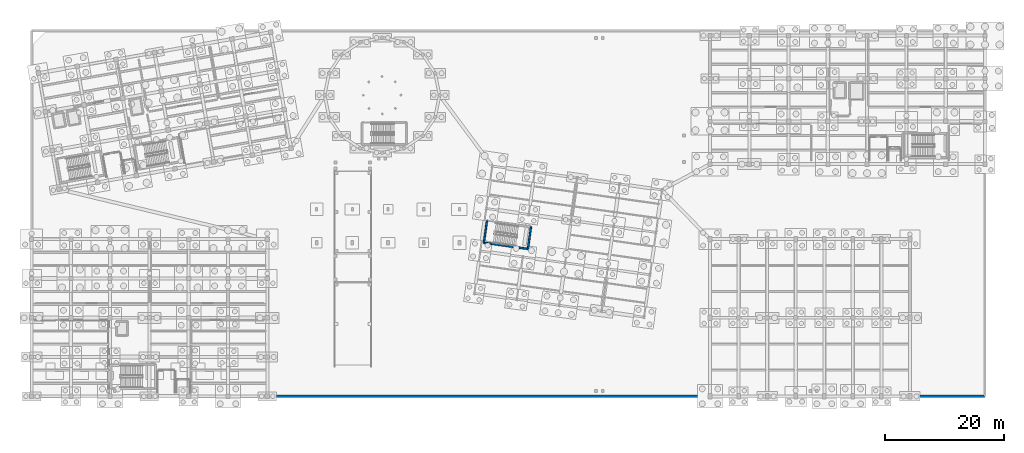
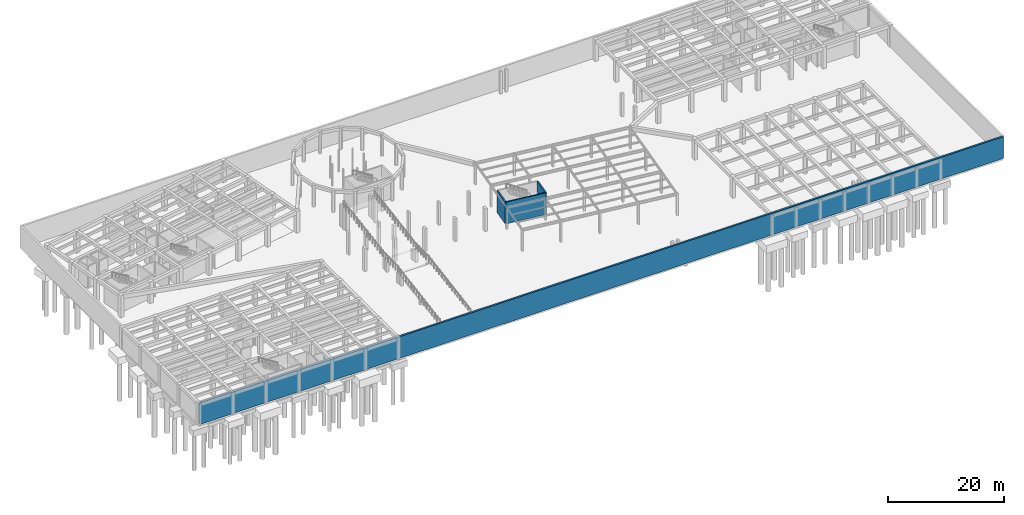
# One storey, part 24 of 34: 4 walls.
"""IFC4 building model written with IfcOpenShell, lengths in metres."""

import ifcopenshell
import ifcopenshell.guid

model = None  # the IFC model being written
_history = None  # IfcOwnerHistory: only IFC2X3 demands one
_inside = {}  # id of a spatial element -> (the spatial element, [elements in it])
_under = {}  # id of a project, library or spatial element -> (it, [spatial elements below it])
_declared = {}  # id of a project -> (the project, [libraries it declares])
_typed = {}  # id of a type object -> (the type object, [elements of that type])
_made_of = {}  # id of a material, layer set ... -> (it, [elements and type objects made of it])


def new_model(schema):
    """Start an empty IFC model of exactly this schema.

    Asked for "IFC4X3", IfcOpenShell would pick the latest addendum, in which some entities
    have other attributes; the version numbers below select the first issue.
    IFC2X3 requires an IfcOwnerHistory on every rooted entity: one is made here for all.
    """
    global model, _history
    if schema == "IFC4X3":
        model = ifcopenshell.file(schema_version=(4, 3, 0, 0))
    else:
        model = ifcopenshell.file(schema=schema)
    _inside.clear()
    _under.clear()
    _declared.clear()
    _typed.clear()
    _made_of.clear()
    _history = None
    if model.schema == "IFC2X3":
        org = make("IfcOrganization", Name="unknown")
        user = make(
            "IfcPersonAndOrganization",
            ThePerson=make("IfcPerson", FamilyName="unknown"),
            TheOrganization=org,
        )
        app = make(
            "IfcApplication",
            ApplicationDeveloper=org,
            Version="unknown",
            ApplicationFullName="unknown",
            ApplicationIdentifier="unknown",
        )
        _history = make(
            "IfcOwnerHistory",
            OwningUser=user,
            OwningApplication=app,
            ChangeAction="ADDED",
            CreationDate=0,
        )
    return model


def make(cls, **values):
    """One entity of the class cls with the attributes given. An attribute that is None is left unset."""
    return model.create_entity(
        cls, **{name: value for name, value in values.items() if value is not None}
    )


def rooted(cls, **values):
    """An entity with a GlobalId (a new one), such as an element, a storey or a relation."""
    return make(cls, GlobalId=ifcopenshell.guid.new(), OwnerHistory=_history, **values)


def si_unit(unit_type, name, prefix=None):
    """IfcSIUnit, for example si_unit("LENGTHUNIT", "METRE", prefix="MILLI")."""
    return make("IfcSIUnit", UnitType=unit_type, Prefix=prefix, Name=name)


def assignment(units):
    """IfcUnitAssignment: the units of a project."""
    return None if units is None else make("IfcUnitAssignment", Units=units)


def point(xyz):
    """IfcCartesianPoint."""
    return None if xyz is None else make("IfcCartesianPoint", Coordinates=xyz)


def direction(xyz):
    """IfcDirection."""
    return None if xyz is None else make("IfcDirection", DirectionRatios=xyz)


def frame(location, z_axis=None, x_axis=None):
    """IfcAxis2Placement3D, a coordinate frame: its origin and axes. An axis left out is left unset."""
    return make(
        "IfcAxis2Placement3D",
        Location=point(location),
        Axis=direction(z_axis),
        RefDirection=direction(x_axis),
    )


def frame_2d(location, x_axis=None):
    """IfcAxis2Placement2D, a coordinate frame in the plane: its origin and x axis."""
    return make(
        "IfcAxis2Placement2D", Location=point(location), RefDirection=direction(x_axis)
    )


def origin():
    """The frame at (0, 0, 0) with its axes left unset."""
    return frame((0.0, 0.0, 0.0))


def place(relative_to, where):
    """IfcLocalPlacement: puts the frame where relative to a parent placement (None: the world)."""
    return make(
        "IfcLocalPlacement", PlacementRelTo=relative_to, RelativePlacement=where
    )


def context(
    kind, dimensions, precision=None, world=None, true_north=None, identifier=None
):
    """IfcGeometricRepresentationContext, for example the 3D "Model" context."""
    return make(
        "IfcGeometricRepresentationContext",
        ContextIdentifier=identifier,
        ContextType=kind,
        CoordinateSpaceDimension=dimensions,
        Precision=precision,
        WorldCoordinateSystem=world,
        TrueNorth=true_north,
    )


def subcontext(parent, identifier, kind, view, scale=None):
    """IfcGeometricRepresentationSubContext, for example "Body" below "Model"."""
    return make(
        "IfcGeometricRepresentationSubContext",
        ContextIdentifier=identifier,
        ContextType=kind,
        ParentContext=parent,
        TargetScale=scale,
        TargetView=view,
    )


def project(units=None, contexts=None):
    """IfcProject with its units and contexts."""
    return rooted(
        "IfcProject",
        Name="project",
        RepresentationContexts=contexts,
        UnitsInContext=assignment(units),
    )


def spatial(cls, under=None, at=None, **own):
    """A site, building, storey or space (cls), placed at a placement, below another one or the project."""
    s = rooted(cls, ObjectPlacement=at, **own)
    if under is not None:
        _under.setdefault(under.id(), (under, []))[1].append(s)
    return s


def profile(cls, at=None, kind="AREA", **sizes):
    """A parametric profile (cls). Its sizes go by their IFC names, for example OverallWidth=200.0."""
    return make(cls, ProfileType=kind, Position=at, **sizes)


def rectangle(**sizes):
    """IfcRectangleProfileDef."""
    return profile("IfcRectangleProfileDef", **sizes)


def extrude(swept, where, along, depth):
    """IfcExtrudedAreaSolid: the profile swept, set in the frame where, extruded along a direction by depth."""
    return make(
        "IfcExtrudedAreaSolid",
        SweptArea=swept,
        Position=where,
        ExtrudedDirection=direction(along),
        Depth=depth,
    )


def shape(context_of_items, identifier, shape_type, items):
    """IfcShapeRepresentation: the items that make up one representation, for example the "Body"."""
    return make(
        "IfcShapeRepresentation",
        ContextOfItems=context_of_items,
        RepresentationIdentifier=identifier,
        RepresentationType=shape_type,
        Items=items,
    )


def material(Name=None, Category=None):
    """IfcMaterial."""
    return make("IfcMaterial", Name=Name, Category=Category)


def layer(
    of_material, thickness, ventilated=None, Name=None, Category=None, Priority=None
):
    """IfcMaterialLayer: one layer of a wall or slab, of a material (None: an air gap)."""
    return make(
        "IfcMaterialLayer",
        Material=of_material,
        LayerThickness=thickness,
        IsVentilated=ventilated,
        Name=Name,
        Category=Category,
        Priority=Priority,
    )


def layer_set(layers, Name=None):
    """IfcMaterialLayerSet."""
    return make("IfcMaterialLayerSet", MaterialLayers=layers, LayerSetName=Name)


def made_of(thing, what):
    """Note that an element or type object is made of a material, layer set ...; save() writes the relation."""
    if what is not None:
        _made_of.setdefault(what.id(), (what, []))[1].append(thing)
    return thing


def type_object(cls, material=None, **own):
    """A type object (cls), such as IfcWallType, which elements share."""
    return made_of(rooted(cls, **own), material)


def element(
    cls,
    number,
    at=None,
    inside=None,
    cuts=None,
    type_object=None,
    material=None,
    context=None,
    identifier="Body",
    shape_type=None,
    held_by="IfcProductDefinitionShape",
    body=None,
    shapes=None,
    **own,
):
    """One element of the class cls, such as IfcWall. Its Tag is "e" and its number.

    at: its placement. inside: the storey or other place that contains it. cuts: it is an
    opening in that element (IfcRelVoidsElement). A single representation is given by context,
    identifier, shape_type and body (its items); several are given by shapes. held_by: the class
    of the entity that holds the representations. save() writes the other relations.
    """
    e = rooted(cls, Tag="e%d" % number, ObjectPlacement=at, **own)
    if body is not None:
        shapes = [shape(context, identifier, shape_type, body)]
    if shapes is not None:
        e.Representation = make(held_by, Representations=shapes)
    if inside is not None:
        _inside.setdefault(inside.id(), (inside, []))[1].append(e)
    if cuts is not None:
        rooted(
            "IfcRelVoidsElement", RelatingBuildingElement=cuts, RelatedOpeningElement=e
        )
    if type_object is not None:
        _typed.setdefault(type_object.id(), (type_object, []))[1].append(e)
    return made_of(e, material)


def aggregate(whole, parts):
    """IfcRelAggregates: a whole, such as a stair, and the parts it consists of."""
    return rooted("IfcRelAggregates", RelatingObject=whole, RelatedObjects=parts)


def save(model, path):
    """Write the relations noted so far, then the file.

    IfcRelAggregates (storeys below a building ...), IfcRelContainedInSpatialStructure (elements
    in a storey), IfcRelDefinesByType, IfcRelAssociatesMaterial and IfcRelDeclares: one each for
    every whole, place, type object, material and project.
    """
    for whole, parts in _under.values():
        aggregate(whole, parts)
    for where, things in _inside.values():
        rooted(
            "IfcRelContainedInSpatialStructure",
            RelatedElements=things,
            RelatingStructure=where,
        )
    for kind, things in _typed.values():
        rooted("IfcRelDefinesByType", RelatedObjects=things, RelatingType=kind)
    for what, things in _made_of.values():
        rooted("IfcRelAssociatesMaterial", RelatedObjects=things, RelatingMaterial=what)
    for by, libraries in _declared.values():
        rooted("IfcRelDeclares", RelatingContext=by, RelatedDefinitions=libraries)
    model.write(path)


model = new_model("IFC4")

# Units and contexts
model_context = context("Model", 3, precision=1e-05, world=origin(), true_north=direction((0.0, 1.0)))
body_context = subcontext(model_context, "Body", "Model", "MODEL_VIEW")
ifc_project = project(units=[si_unit("LENGTHUNIT", "METRE"), si_unit("AREAUNIT", "SQUARE_METRE"), si_unit("VOLUMEUNIT", "CUBIC_METRE"), si_unit("PLANEANGLEUNIT", "RADIAN"), si_unit("MASSUNIT", "GRAM", prefix="KILO")], contexts=[model_context])

# Site, building, storey
site_placement = place(None, origin())
site = spatial("IfcSite", under=ifc_project, at=site_placement, CompositionType="ELEMENT")
building_placement = place(site_placement, origin())
building = spatial("IfcBuilding", under=site, at=building_placement, Name="Kharisveld Research Institute", CompositionType="ELEMENT")
storey_placement = place(building_placement, frame((0.0, 0.0, -4.800048828125)))
storey = spatial("IfcBuildingStorey", under=building, at=storey_placement, Name="B1", CompositionType="ELEMENT", Elevation=-4.800048828125)

# Walls
ifc_material_1 = material(Name="Concrete C40/50", Category="concrete")
ifc_layer_1 = layer(ifc_material_1, 0.27001953125)
ifc_layer_set_1 = layer_set([ifc_layer_1], Name="WL_CORE_270")
wall_type_1 = type_object("IfcWallType", Name="WL_CORE_270", PredefinedType="SHEAR", material=ifc_layer_set_1)
for number, where, z_axis, x_axis, name in (
    (1, (76.599853515625, 26.01025390625, 0.0), (0.0, 0.0, 1.0), (0.139172815303, 0.990268108888, 0.0), "WL:STR:ST5:B1:W"),
    (2, (84.517822265625, 28.674072265625, 0.0), (0.0, 0.0, 1.0), (-0.139172815303, -0.990268108888, 0.0), "WL:STR:ST5:B1:E"),
):
    element("IfcWall", number, at=place(storey_placement, frame(where, z_axis=z_axis, x_axis=x_axis)), inside=storey, type_object=wall_type_1, Name=name, PredefinedType="SHEAR", context=body_context, shape_type="SweptSolid", body=[
        extrude(rectangle(XDim=3.739990234375, YDim=0.27001953125, at=frame_2d((1.8701171875, 0.0))), origin(), (0.0, 0.0, 1.0), 4.580078125),
    ])
wall_1_placement = place(storey_placement, frame((83.997314453125, 24.970458984375, 0.0), z_axis=(0.0, 0.0, 1.0), x_axis=(-0.990265308789, 0.139192737628, 0.0)))
element("IfcWall", 3, at=wall_1_placement, inside=storey, type_object=wall_type_1, Name="WL:STR:ST5:B1:S", PredefinedType="SHEAR", context=body_context, shape_type="SweptSolid", body=[
    extrude(rectangle(XDim=7.47021484375, YDim=0.27001953125, at=frame_2d((3.735107421875, 0.0))), origin(), (0.0, 0.0, 1.0), 4.580078125),
])
ifc_material_2 = material(Name="Concrete C35/45", Category="concrete")
ifc_layer_2 = layer(ifc_material_2, 0.360107421875)
ifc_layer_set_2 = layer_set([ifc_layer_2], Name="WL_RET_360")
wall_type_2 = type_object("IfcWallType", Name="WL_RET_360", PredefinedType="USERDEFINED", material=ifc_layer_set_2)
wall_2_placement = place(storey_placement, frame((160.800048828125, 0.199951171875, 0.0), z_axis=(0.0, 0.0, 1.0), x_axis=(-1.0, 0.0, 0.0)))
element("IfcWall", 4, at=wall_2_placement, inside=storey, type_object=wall_type_2, Name="WL:B1:RET_SOUTH", ObjectType="RETAINING WALL", PredefinedType="USERDEFINED", context=body_context, shape_type="SweptSolid", body=[
    extrude(rectangle(XDim=160.199951171875, YDim=0.360107421875, at=frame_2d((80.10009765625, 0.0))), origin(), (0.0, 0.0, 1.0), 4.580078125),
])

save(model, "model.ifc")
